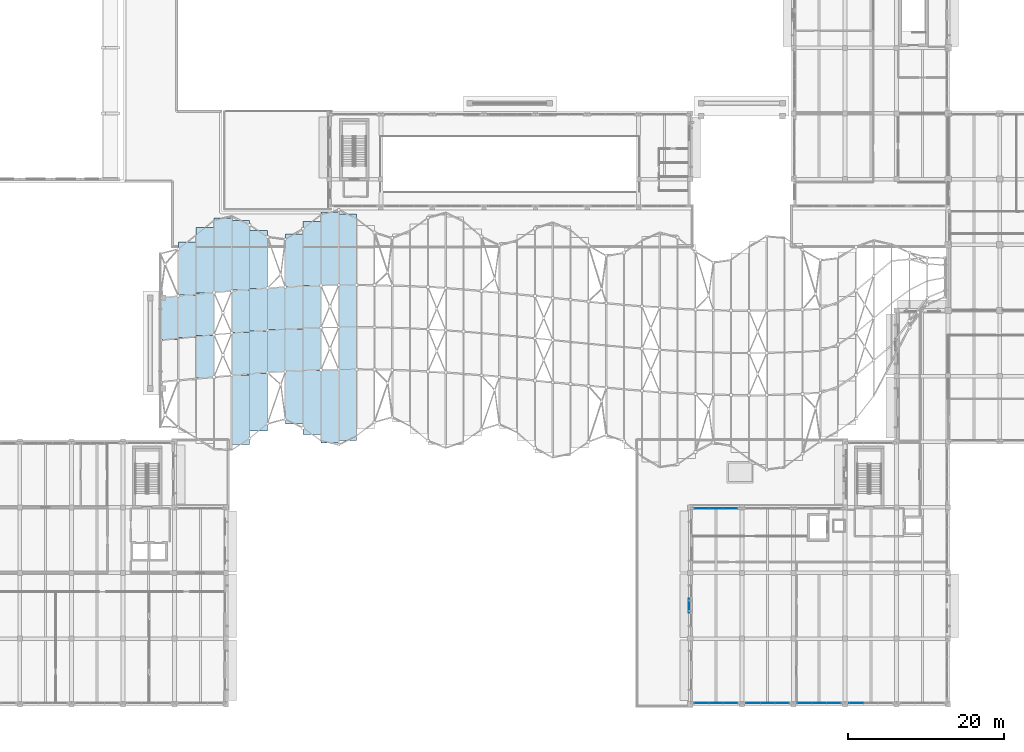
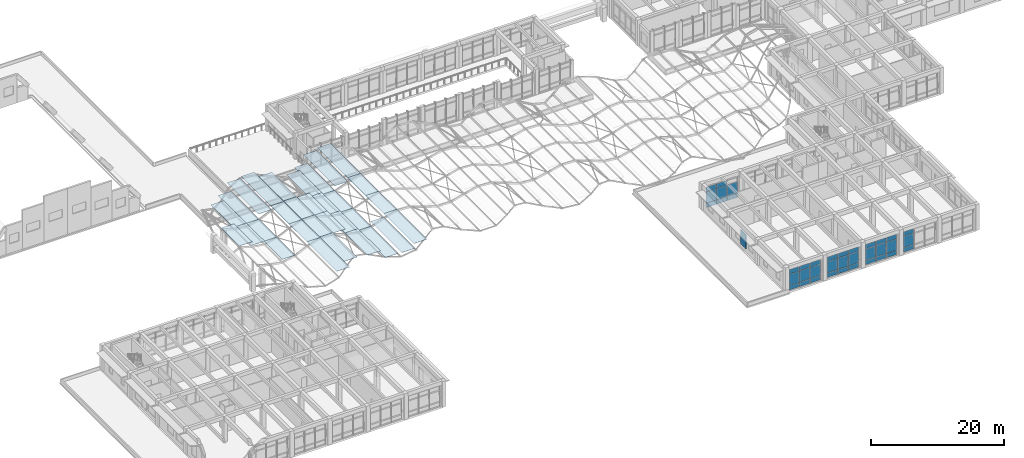
# One storey, part 35 of 79: 70 plates, 5 elements without a shape of their own.
"""IFC4 building model written with IfcOpenShell, lengths in metres."""

import ifcopenshell
import ifcopenshell.guid

model = None  # the IFC model being written
_history = None  # IfcOwnerHistory: only IFC2X3 demands one
_inside = {}  # id of a spatial element -> (the spatial element, [elements in it])
_under = {}  # id of a project, library or spatial element -> (it, [spatial elements below it])
_declared = {}  # id of a project -> (the project, [libraries it declares])
_typed = {}  # id of a type object -> (the type object, [elements of that type])
_made_of = {}  # id of a material, layer set ... -> (it, [elements and type objects made of it])


def new_model(schema):
    """Start an empty IFC model of exactly this schema.

    Asked for "IFC4X3", IfcOpenShell would pick the latest addendum, in which some entities
    have other attributes; the version numbers below select the first issue.
    IFC2X3 requires an IfcOwnerHistory on every rooted entity: one is made here for all.
    """
    global model, _history
    if schema == "IFC4X3":
        model = ifcopenshell.file(schema_version=(4, 3, 0, 0))
    else:
        model = ifcopenshell.file(schema=schema)
    _inside.clear()
    _under.clear()
    _declared.clear()
    _typed.clear()
    _made_of.clear()
    _history = None
    if model.schema == "IFC2X3":
        org = make("IfcOrganization", Name="unknown")
        user = make(
            "IfcPersonAndOrganization",
            ThePerson=make("IfcPerson", FamilyName="unknown"),
            TheOrganization=org,
        )
        app = make(
            "IfcApplication",
            ApplicationDeveloper=org,
            Version="unknown",
            ApplicationFullName="unknown",
            ApplicationIdentifier="unknown",
        )
        _history = make(
            "IfcOwnerHistory",
            OwningUser=user,
            OwningApplication=app,
            ChangeAction="ADDED",
            CreationDate=0,
        )
    return model


def make(cls, **values):
    """One entity of the class cls with the attributes given. An attribute that is None is left unset."""
    return model.create_entity(
        cls, **{name: value for name, value in values.items() if value is not None}
    )


def rooted(cls, **values):
    """An entity with a GlobalId (a new one), such as an element, a storey or a relation."""
    return make(cls, GlobalId=ifcopenshell.guid.new(), OwnerHistory=_history, **values)


def si_unit(unit_type, name, prefix=None):
    """IfcSIUnit, for example si_unit("LENGTHUNIT", "METRE", prefix="MILLI")."""
    return make("IfcSIUnit", UnitType=unit_type, Prefix=prefix, Name=name)


def assignment(units):
    """IfcUnitAssignment: the units of a project."""
    return None if units is None else make("IfcUnitAssignment", Units=units)


def point(xyz):
    """IfcCartesianPoint."""
    return None if xyz is None else make("IfcCartesianPoint", Coordinates=xyz)


def direction(xyz):
    """IfcDirection."""
    return None if xyz is None else make("IfcDirection", DirectionRatios=xyz)


def frame(location, z_axis=None, x_axis=None):
    """IfcAxis2Placement3D, a coordinate frame: its origin and axes. An axis left out is left unset."""
    return make(
        "IfcAxis2Placement3D",
        Location=point(location),
        Axis=direction(z_axis),
        RefDirection=direction(x_axis),
    )


def frame_2d(location, x_axis=None):
    """IfcAxis2Placement2D, a coordinate frame in the plane: its origin and x axis."""
    return make(
        "IfcAxis2Placement2D", Location=point(location), RefDirection=direction(x_axis)
    )


def origin():
    """The frame at (0, 0, 0) with its axes left unset."""
    return frame((0.0, 0.0, 0.0))


def origin_2d():
    """The frame at (0, 0) in the plane with its x axis left unset."""
    return frame_2d((0.0, 0.0))


def place(relative_to, where):
    """IfcLocalPlacement: puts the frame where relative to a parent placement (None: the world)."""
    return make(
        "IfcLocalPlacement", PlacementRelTo=relative_to, RelativePlacement=where
    )


def context(
    kind, dimensions, precision=None, world=None, true_north=None, identifier=None
):
    """IfcGeometricRepresentationContext, for example the 3D "Model" context."""
    return make(
        "IfcGeometricRepresentationContext",
        ContextIdentifier=identifier,
        ContextType=kind,
        CoordinateSpaceDimension=dimensions,
        Precision=precision,
        WorldCoordinateSystem=world,
        TrueNorth=true_north,
    )


def subcontext(parent, identifier, kind, view, scale=None):
    """IfcGeometricRepresentationSubContext, for example "Body" below "Model"."""
    return make(
        "IfcGeometricRepresentationSubContext",
        ContextIdentifier=identifier,
        ContextType=kind,
        ParentContext=parent,
        TargetScale=scale,
        TargetView=view,
    )


def project(units=None, contexts=None):
    """IfcProject with its units and contexts."""
    return rooted(
        "IfcProject",
        Name="project",
        RepresentationContexts=contexts,
        UnitsInContext=assignment(units),
    )


def spatial(cls, under=None, at=None, **own):
    """A site, building, storey or space (cls), placed at a placement, below another one or the project."""
    s = rooted(cls, ObjectPlacement=at, **own)
    if under is not None:
        _under.setdefault(under.id(), (under, []))[1].append(s)
    return s


def profile(cls, at=None, kind="AREA", **sizes):
    """A parametric profile (cls). Its sizes go by their IFC names, for example OverallWidth=200.0."""
    return make(cls, ProfileType=kind, Position=at, **sizes)


def rectangle(**sizes):
    """IfcRectangleProfileDef."""
    return profile("IfcRectangleProfileDef", **sizes)


def extrude(swept, where, along, depth):
    """IfcExtrudedAreaSolid: the profile swept, set in the frame where, extruded along a direction by depth."""
    return make(
        "IfcExtrudedAreaSolid",
        SweptArea=swept,
        Position=where,
        ExtrudedDirection=direction(along),
        Depth=depth,
    )


def shape(context_of_items, identifier, shape_type, items):
    """IfcShapeRepresentation: the items that make up one representation, for example the "Body"."""
    return make(
        "IfcShapeRepresentation",
        ContextOfItems=context_of_items,
        RepresentationIdentifier=identifier,
        RepresentationType=shape_type,
        Items=items,
    )


def material(Name=None, Category=None):
    """IfcMaterial."""
    return make("IfcMaterial", Name=Name, Category=Category)


def layer(
    of_material, thickness, ventilated=None, Name=None, Category=None, Priority=None
):
    """IfcMaterialLayer: one layer of a wall or slab, of a material (None: an air gap)."""
    return make(
        "IfcMaterialLayer",
        Material=of_material,
        LayerThickness=thickness,
        IsVentilated=ventilated,
        Name=Name,
        Category=Category,
        Priority=Priority,
    )


def layer_set(layers, Name=None):
    """IfcMaterialLayerSet."""
    return make("IfcMaterialLayerSet", MaterialLayers=layers, LayerSetName=Name)


def made_of(thing, what):
    """Note that an element or type object is made of a material, layer set ...; save() writes the relation."""
    if what is not None:
        _made_of.setdefault(what.id(), (what, []))[1].append(thing)
    return thing


def type_object(cls, material=None, **own):
    """A type object (cls), such as IfcWallType, which elements share."""
    return made_of(rooted(cls, **own), material)


def element(
    cls,
    number,
    at=None,
    inside=None,
    cuts=None,
    type_object=None,
    material=None,
    context=None,
    identifier="Body",
    shape_type=None,
    held_by="IfcProductDefinitionShape",
    body=None,
    shapes=None,
    **own,
):
    """One element of the class cls, such as IfcWall. Its Tag is "e" and its number.

    at: its placement. inside: the storey or other place that contains it. cuts: it is an
    opening in that element (IfcRelVoidsElement). A single representation is given by context,
    identifier, shape_type and body (its items); several are given by shapes. held_by: the class
    of the entity that holds the representations. save() writes the other relations.
    """
    e = rooted(cls, Tag="e%d" % number, ObjectPlacement=at, **own)
    if body is not None:
        shapes = [shape(context, identifier, shape_type, body)]
    if shapes is not None:
        e.Representation = make(held_by, Representations=shapes)
    if inside is not None:
        _inside.setdefault(inside.id(), (inside, []))[1].append(e)
    if cuts is not None:
        rooted(
            "IfcRelVoidsElement", RelatingBuildingElement=cuts, RelatedOpeningElement=e
        )
    if type_object is not None:
        _typed.setdefault(type_object.id(), (type_object, []))[1].append(e)
    return made_of(e, material)


def aggregate(whole, parts):
    """IfcRelAggregates: a whole, such as a stair, and the parts it consists of."""
    return rooted("IfcRelAggregates", RelatingObject=whole, RelatedObjects=parts)


def save(model, path):
    """Write the relations noted so far, then the file.

    IfcRelAggregates (storeys below a building ...), IfcRelContainedInSpatialStructure (elements
    in a storey), IfcRelDefinesByType, IfcRelAssociatesMaterial and IfcRelDeclares: one each for
    every whole, place, type object, material and project.
    """
    for whole, parts in _under.values():
        aggregate(whole, parts)
    for where, things in _inside.values():
        rooted(
            "IfcRelContainedInSpatialStructure",
            RelatedElements=things,
            RelatingStructure=where,
        )
    for kind, things in _typed.values():
        rooted("IfcRelDefinesByType", RelatedObjects=things, RelatingType=kind)
    for what, things in _made_of.values():
        rooted("IfcRelAssociatesMaterial", RelatedObjects=things, RelatingMaterial=what)
    for by, libraries in _declared.values():
        rooted("IfcRelDeclares", RelatingContext=by, RelatedDefinitions=libraries)
    model.write(path)


model = new_model("IFC4")

# Units and contexts
model_context = context("Model", 3, precision=1e-05, world=origin(), true_north=direction((0.0, 1.0)))
body_context = subcontext(model_context, "Body", "Model", "MODEL_VIEW")
ifc_project = project(units=[si_unit("LENGTHUNIT", "METRE"), si_unit("AREAUNIT", "SQUARE_METRE"), si_unit("VOLUMEUNIT", "CUBIC_METRE"), si_unit("PLANEANGLEUNIT", "RADIAN"), si_unit("MASSUNIT", "GRAM", prefix="KILO")], contexts=[model_context])

# Site, building, storey
site_placement = place(None, origin())
site = spatial("IfcSite", under=ifc_project, at=site_placement, CompositionType="ELEMENT")
building_placement = place(site_placement, origin())
building = spatial("IfcBuilding", under=site, at=building_placement, Name="Kolvaren Faculty of Natural Sciences", CompositionType="ELEMENT")
storey_placement = place(building_placement, frame((0.0, 0.0, 10.199951171875)))
storey = spatial("IfcBuildingStorey", under=building, at=storey_placement, Name="L02", CompositionType="ELEMENT", Elevation=10.199951171875)

# Plates
ifc_material_1 = material(Name="Double low-E solar control laminated skylight glass", Category="glass")
ifc_layer_1 = layer(ifc_material_1, 0.031982421875)
ifc_layer_set_1 = layer_set([ifc_layer_1], Name="Double low-E solar control laminated skylight glass")
plate_type_1 = type_object("IfcPlateType", Name="CanopyTranslucentSkylight_32", PredefinedType="USERDEFINED", material=ifc_layer_set_1)
for number, where, z_axis, x_axis, name in (
    (1, (39.140869140625, 58.017333984375, 3.849609375), (0.0, 0.0, 1.0), (1.0, 0.0, 0.0), "Covered street canopy translucent skylight panel 1.N2"),
    (2, (41.422607421875, 58.25, 3.0224609375), (0.0, 0.0, 1.0), (1.0, 0.0, 0.0), "Covered street canopy translucent skylight panel 2.N2"),
):
    element("IfcPlate", number, at=place(storey_placement, frame(where, z_axis=z_axis, x_axis=x_axis)), inside=storey, type_object=plate_type_1, Name=name, ObjectType="SKYLIGHT PANEL", PredefinedType="USERDEFINED", context=body_context, shape_type="SweptSolid", body=[
        extrude(rectangle(XDim=2.251708984375, YDim=5.4599609375, at=origin_2d()), origin(), (0.0, 0.0, 1.0), 0.031982421875),
    ])
plate_1_placement = place(storey_placement, frame((41.422607421875, 64.34521484375, 3.0224609375), z_axis=(0.0, 0.0, 1.0), x_axis=(1.0, 0.0, 0.0)))
element("IfcPlate", 3, at=plate_1_placement, inside=storey, type_object=plate_type_1, Name="Covered street canopy translucent skylight panel 2.N1", ObjectType="SKYLIGHT PANEL", PredefinedType="USERDEFINED", context=body_context, shape_type="SweptSolid", body=[
    extrude(rectangle(XDim=2.251708984375, YDim=6.850341796875, at=origin_2d()), origin(), (0.0, 0.0, 1.0), 0.031982421875),
])
for number, where, z_axis, x_axis, name in (
    (4, (43.70458984375, 53.0751953125, 2.80419921875), (0.0, 0.0, 1.0), (1.0, 0.0, 0.0), "Covered street canopy translucent skylight panel 3.S2"),
    (5, (43.70458984375, 58.47509765625, 2.80419921875), (0.0, 0.0, 1.0), (1.0, 0.0, 0.0), "Covered street canopy translucent skylight panel 3.N2"),
):
    element("IfcPlate", number, at=place(storey_placement, frame(where, z_axis=z_axis, x_axis=x_axis)), inside=storey, type_object=plate_type_1, Name=name, ObjectType="SKYLIGHT PANEL", PredefinedType="USERDEFINED", context=body_context, shape_type="SweptSolid", body=[
        extrude(rectangle(XDim=2.251953125, YDim=5.4599609375, at=origin_2d()), origin(), (0.0, 0.0, 1.0), 0.031982421875),
    ])
plate_2_placement = place(storey_placement, frame((43.70458984375, 65.377197265625, 2.80419921875), z_axis=(0.0, 0.0, 1.0), x_axis=(1.0, 0.0, 0.0)))
element("IfcPlate", 6, at=plate_2_placement, inside=storey, type_object=plate_type_1, Name="Covered street canopy translucent skylight panel 3.N1", ObjectType="SKYLIGHT PANEL", PredefinedType="USERDEFINED", context=body_context, shape_type="SweptSolid", body=[
    extrude(rectangle(XDim=2.251953125, YDim=8.46435546875, at=origin_2d()), origin(), (0.0, 0.0, 1.0), 0.031982421875),
])
plate_3_placement = place(storey_placement, frame((45.986328125, 66.084716796875, 3.62255859375), z_axis=(0.0, 0.0, 1.0), x_axis=(1.0, 0.0, 0.0)))
element("IfcPlate", 7, at=plate_3_placement, inside=storey, type_object=plate_type_1, Name="Covered street canopy translucent skylight panel 4.N1", ObjectType="SKYLIGHT PANEL", PredefinedType="USERDEFINED", context=body_context, shape_type="SweptSolid", body=[
    extrude(rectangle(XDim=2.251708984375, YDim=9.4521484375, at=origin_2d()), origin(), (0.0, 0.0, 1.0), 0.031982421875),
])
plate_4_placement = place(storey_placement, frame((48.268310546875, 46.336669921875, 4.1796875), z_axis=(0.0, 0.0, 1.0), x_axis=(1.0, 0.0, 0.0)))
element("IfcPlate", 8, at=plate_4_placement, inside=storey, type_object=plate_type_1, Name="Covered street canopy translucent skylight panel 5.S1", ObjectType="SKYLIGHT PANEL", PredefinedType="USERDEFINED", context=body_context, shape_type="SweptSolid", body=[
    extrude(rectangle(XDim=2.251708984375, YDim=8.959228515625, at=origin_2d()), origin(), (0.0, 0.0, 1.0), 0.031982421875),
])
for number, where, z_axis, x_axis, name in (
    (9, (48.268310546875, 53.486328125, 4.1796875), (0.0, 0.0, 1.0), (1.0, 0.0, 0.0), "Covered street canopy translucent skylight panel 5.S2"),
    (10, (48.268310546875, 58.88623046875, 4.1796875), (0.0, 0.0, 1.0), (1.0, 0.0, 0.0), "Covered street canopy translucent skylight panel 5.N2"),
):
    element("IfcPlate", number, at=place(storey_placement, frame(where, z_axis=z_axis, x_axis=x_axis)), inside=storey, type_object=plate_type_1, Name=name, ObjectType="SKYLIGHT PANEL", PredefinedType="USERDEFINED", context=body_context, shape_type="SweptSolid", body=[
        extrude(rectangle(XDim=2.251708984375, YDim=5.4599609375, at=origin_2d()), origin(), (0.0, 0.0, 1.0), 0.031982421875),
    ])
plate_5_placement = place(storey_placement, frame((48.268310546875, 66.035888671875, 4.1796875), z_axis=(0.0, 0.0, 1.0), x_axis=(1.0, 0.0, 0.0)))
element("IfcPlate", 11, at=plate_5_placement, inside=storey, type_object=plate_type_1, Name="Covered street canopy translucent skylight panel 5.N1", ObjectType="SKYLIGHT PANEL", PredefinedType="USERDEFINED", context=body_context, shape_type="SweptSolid", body=[
    extrude(rectangle(XDim=2.251708984375, YDim=8.959228515625, at=origin_2d()), origin(), (0.0, 0.0, 1.0), 0.031982421875),
])
plate_6_placement = place(storey_placement, frame((50.550048828125, 47.264404296875, 4.1796875), z_axis=(0.0, 0.0, 1.0), x_axis=(1.0, 0.0, 0.0)))
element("IfcPlate", 12, at=plate_6_placement, inside=storey, type_object=plate_type_1, Name="Covered street canopy translucent skylight panel 6.S1", ObjectType="SKYLIGHT PANEL", PredefinedType="USERDEFINED", context=body_context, shape_type="SweptSolid", body=[
    extrude(rectangle(XDim=2.251708984375, YDim=7.458740234375, at=origin_2d()), origin(), (0.0, 0.0, 1.0), 0.031982421875),
])
for number, where, z_axis, x_axis, name in (
    (13, (50.550048828125, 53.663818359375, 4.1796875), (0.0, 0.0, 1.0), (1.0, 0.0, 0.0), "Covered street canopy translucent skylight panel 6.S2"),
    (14, (50.550048828125, 59.063720703125, 4.1796875), (0.0, 0.0, 1.0), (1.0, 0.0, 0.0), "Covered street canopy translucent skylight panel 6.N2"),
):
    element("IfcPlate", number, at=place(storey_placement, frame(where, z_axis=z_axis, x_axis=x_axis)), inside=storey, type_object=plate_type_1, Name=name, ObjectType="SKYLIGHT PANEL", PredefinedType="USERDEFINED", context=body_context, shape_type="SweptSolid", body=[
        extrude(rectangle(XDim=2.251708984375, YDim=5.4599609375, at=origin_2d()), origin(), (0.0, 0.0, 1.0), 0.031982421875),
    ])
plate_7_placement = place(storey_placement, frame((50.550048828125, 65.463134765625, 4.1796875), z_axis=(0.0, 0.0, 1.0), x_axis=(1.0, 0.0, 0.0)))
element("IfcPlate", 15, at=plate_7_placement, inside=storey, type_object=plate_type_1, Name="Covered street canopy translucent skylight panel 6.N1", ObjectType="SKYLIGHT PANEL", PredefinedType="USERDEFINED", context=body_context, shape_type="SweptSolid", body=[
    extrude(rectangle(XDim=2.251708984375, YDim=7.458740234375, at=origin_2d()), origin(), (0.0, 0.0, 1.0), 0.031982421875),
])
for number, where, z_axis, x_axis, name in (
    (16, (52.831787109375, 53.8173828125, 3.93994140625), (0.0, 0.0, 1.0), (1.0, 0.0, 0.0), "Covered street canopy translucent skylight panel 7.S2"),
    (17, (52.831787109375, 59.217529296875, 3.93994140625), (0.0, 0.0, 1.0), (1.0, 0.0, 0.0), "Covered street canopy translucent skylight panel 7.N2"),
):
    element("IfcPlate", number, at=place(storey_placement, frame(where, z_axis=z_axis, x_axis=x_axis)), inside=storey, type_object=plate_type_1, Name=name, ObjectType="SKYLIGHT PANEL", PredefinedType="USERDEFINED", context=body_context, shape_type="SweptSolid", body=[
        extrude(rectangle(XDim=2.251708984375, YDim=5.4599609375, at=origin_2d()), origin(), (0.0, 0.0, 1.0), 0.031982421875),
    ])
plate_8_placement = place(storey_placement, frame((55.113525390625, 47.88330078125, 3.1337890625), z_axis=(0.0, 0.0, 1.0), x_axis=(1.0, 0.0, 0.0)))
element("IfcPlate", 18, at=plate_8_placement, inside=storey, type_object=plate_type_1, Name="Covered street canopy translucent skylight panel 8.S1", ObjectType="SKYLIGHT PANEL", PredefinedType="USERDEFINED", context=body_context, shape_type="SweptSolid", body=[
    extrude(rectangle(XDim=2.251708984375, YDim=6.782470703125, at=origin_2d()), origin(), (0.0, 0.0, 1.0), 0.031982421875),
])
for number, where, z_axis, x_axis, name in (
    (19, (55.113525390625, 53.944580078125, 3.1337890625), (0.0, 0.0, 1.0), (1.0, 0.0, 0.0), "Covered street canopy translucent skylight panel 8.S2"),
    (20, (55.113525390625, 59.344482421875, 3.1337890625), (0.0, 0.0, 1.0), (1.0, 0.0, 0.0), "Covered street canopy translucent skylight panel 8.N2"),
):
    element("IfcPlate", number, at=place(storey_placement, frame(where, z_axis=z_axis, x_axis=x_axis)), inside=storey, type_object=plate_type_1, Name=name, ObjectType="SKYLIGHT PANEL", PredefinedType="USERDEFINED", context=body_context, shape_type="SweptSolid", body=[
        extrude(rectangle(XDim=2.251708984375, YDim=5.4599609375, at=origin_2d()), origin(), (0.0, 0.0, 1.0), 0.031982421875),
    ])
plate_9_placement = place(storey_placement, frame((55.113525390625, 65.40576171875, 3.1337890625), z_axis=(0.0, 0.0, 1.0), x_axis=(1.0, 0.0, 0.0)))
element("IfcPlate", 21, at=plate_9_placement, inside=storey, type_object=plate_type_1, Name="Covered street canopy translucent skylight panel 8.N1", ObjectType="SKYLIGHT PANEL", PredefinedType="USERDEFINED", context=body_context, shape_type="SweptSolid", body=[
    extrude(rectangle(XDim=2.251708984375, YDim=6.782470703125, at=origin_2d()), origin(), (0.0, 0.0, 1.0), 0.031982421875),
])
plate_10_placement = place(storey_placement, frame((57.3955078125, 47.243896484375, 2.71923828125), z_axis=(0.0, 0.0, 1.0), x_axis=(1.0, 0.0, 0.0)))
element("IfcPlate", 22, at=plate_10_placement, inside=storey, type_object=plate_type_1, Name="Covered street canopy translucent skylight panel 9.S1", ObjectType="SKYLIGHT PANEL", PredefinedType="USERDEFINED", context=body_context, shape_type="SweptSolid", body=[
    extrude(rectangle(XDim=2.251953125, YDim=8.256103515625, at=origin_2d()), origin(), (0.0, 0.0, 1.0), 0.031982421875),
])
for number, where, z_axis, x_axis, name in (
    (23, (57.3955078125, 54.0419921875, 2.71923828125), (0.0, 0.0, 1.0), (1.0, 0.0, 0.0), "Covered street canopy translucent skylight panel 9.S2"),
    (24, (57.3955078125, 59.44189453125, 2.71923828125), (0.0, 0.0, 1.0), (1.0, 0.0, 0.0), "Covered street canopy translucent skylight panel 9.N2"),
):
    element("IfcPlate", number, at=place(storey_placement, frame(where, z_axis=z_axis, x_axis=x_axis)), inside=storey, type_object=plate_type_1, Name=name, ObjectType="SKYLIGHT PANEL", PredefinedType="USERDEFINED", context=body_context, shape_type="SweptSolid", body=[
        extrude(rectangle(XDim=2.251953125, YDim=5.4599609375, at=origin_2d()), origin(), (0.0, 0.0, 1.0), 0.031982421875),
    ])
plate_11_placement = place(storey_placement, frame((57.3955078125, 66.239990234375, 2.71923828125), z_axis=(0.0, 0.0, 1.0), x_axis=(1.0, 0.0, 0.0)))
element("IfcPlate", 25, at=plate_11_placement, inside=storey, type_object=plate_type_1, Name="Covered street canopy translucent skylight panel 9.N1", ObjectType="SKYLIGHT PANEL", PredefinedType="USERDEFINED", context=body_context, shape_type="SweptSolid", body=[
    extrude(rectangle(XDim=2.251953125, YDim=8.256103515625, at=origin_2d()), origin(), (0.0, 0.0, 1.0), 0.031982421875),
])
for number, where, z_axis, x_axis, name in (
    (26, (59.67724609375, 46.739501953125, 3.5087890625), (0.0, 0.0, 1.0), (1.0, 0.0, 0.0), "Covered street canopy translucent skylight panel 10.S1"),
    (27, (59.67724609375, 66.876953125, 3.5087890625), (0.0, 0.0, 1.0), (1.0, 0.0, 0.0), "Covered street canopy translucent skylight panel 10.N1"),
):
    element("IfcPlate", number, at=place(storey_placement, frame(where, z_axis=z_axis, x_axis=x_axis)), inside=storey, type_object=plate_type_1, Name=name, ObjectType="SKYLIGHT PANEL", PredefinedType="USERDEFINED", context=body_context, shape_type="SweptSolid", body=[
        extrude(rectangle(XDim=2.251708984375, YDim=9.3974609375, at=origin_2d()), origin(), (0.0, 0.0, 1.0), 0.031982421875),
    ])
plate_12_placement = place(storey_placement, frame((61.958984375, 46.91650390625, 4.14599609375), z_axis=(0.0, 0.0, 1.0), x_axis=(1.0, 0.0, 0.0)))
element("IfcPlate", 28, at=plate_12_placement, inside=storey, type_object=plate_type_1, Name="Covered street canopy translucent skylight panel 11.S1", ObjectType="SKYLIGHT PANEL", PredefinedType="USERDEFINED", context=body_context, shape_type="SweptSolid", body=[
    extrude(rectangle(XDim=2.251708984375, YDim=9.110595703125, at=origin_2d()), origin(), (0.0, 0.0, 1.0), 0.031982421875),
])
for number, where, z_axis, x_axis, name in (
    (29, (61.958984375, 54.1416015625, 4.14599609375), (0.0, 0.0, 1.0), (1.0, 0.0, 0.0), "Covered street canopy translucent skylight panel 11.S2"),
    (30, (61.958984375, 59.54150390625, 4.14599609375), (0.0, 0.0, 1.0), (1.0, 0.0, 0.0), "Covered street canopy translucent skylight panel 11.N2"),
):
    element("IfcPlate", number, at=place(storey_placement, frame(where, z_axis=z_axis, x_axis=x_axis)), inside=storey, type_object=plate_type_1, Name=name, ObjectType="SKYLIGHT PANEL", PredefinedType="USERDEFINED", context=body_context, shape_type="SweptSolid", body=[
        extrude(rectangle(XDim=2.251708984375, YDim=5.4599609375, at=origin_2d()), origin(), (0.0, 0.0, 1.0), 0.031982421875),
    ])
plate_13_placement = place(storey_placement, frame((61.958984375, 66.766845703125, 4.14599609375), z_axis=(0.0, 0.0, 1.0), x_axis=(1.0, 0.0, 0.0)))
element("IfcPlate", 31, at=plate_13_placement, inside=storey, type_object=plate_type_1, Name="Covered street canopy translucent skylight panel 11.N1", ObjectType="SKYLIGHT PANEL", PredefinedType="USERDEFINED", context=body_context, shape_type="SweptSolid", body=[
    extrude(rectangle(XDim=2.251708984375, YDim=9.110595703125, at=origin_2d()), origin(), (0.0, 0.0, 1.0), 0.031982421875),
])

# Curtain wall, plate
ifc_material_2 = material(Name="Thermally broken anodised aluminium framing", Category="aluminium")
ifc_layer_2 = layer(ifc_material_2, 0.179931640625)
ifc_layer_set_2 = layer_set([ifc_layer_2], Name="Thermally broken anodised aluminium framing")
curtain_wall_type = type_object("IfcCurtainWallType", Name="CommonsCurtainWall_CW02", PredefinedType="NOTDEFINED", material=ifc_layer_set_2)
curtain_wall_1_placement = place(storey_placement, origin())
curtain_wall_1 = element("IfcCurtainWall", 32, at=curtain_wall_1_placement, inside=storey, type_object=curtain_wall_type, Name="L02 unitised curtain wall CW-02 (CW-L02-112)", PredefinedType="NOTDEFINED")
ifc_material_3 = material(Name="Double low-E solar control insulated glazing", Category="glass")
ifc_layer_3 = layer(ifc_material_3, 0.035888671875)
ifc_layer_set_3 = layer_set([ifc_layer_3], Name="Double low-E solar control insulated glazing")
plate_type_2 = type_object("IfcPlateType", Name="EnvelopePlate_CWPGL1", PredefinedType="CURTAIN_PANEL", material=ifc_layer_set_3)
plate_14_placement = place(storey_placement, frame((127.066650390625, 8.75, 0.920166015625), z_axis=(0.0, 0.0, 1.0), x_axis=(-1.0, 0.0, 0.0)))
plate_14 = element("IfcPlate", 33, at=plate_14_placement, type_object=plate_type_2, Name="CW-L02-112 panel 3 V1", PredefinedType="CURTAIN_PANEL", context=body_context, shape_type="SweptSolid", body=[
    extrude(rectangle(XDim=1.783203125, YDim=0.035888671875, at=origin_2d()), origin(), (0.0, 0.0, 1.0), 2.044921875),
])

# Curtain wall, plates
curtain_wall_2_placement = place(storey_placement, origin())
curtain_wall_2 = element("IfcCurtainWall", 34, at=curtain_wall_2_placement, inside=storey, type_object=curtain_wall_type, Name="L02 unitised curtain wall CW-02 (CW-L02-113)", PredefinedType="NOTDEFINED")
plate_15_placement = place(storey_placement, frame((124.13330078125, 8.75, 0.920166015625), z_axis=(0.0, 0.0, 1.0), x_axis=(-1.0, 0.0, 0.0)))
plate_15 = element("IfcPlate", 35, at=plate_15_placement, type_object=plate_type_2, Name="CW-L02-113 panel 1 V1", PredefinedType="CURTAIN_PANEL", context=body_context, shape_type="SweptSolid", body=[
    extrude(rectangle(XDim=1.783203125, YDim=0.035888671875, at=origin_2d()), origin(), (0.0, 0.0, 1.0), 2.044921875),
])
plate_16_placement = place(storey_placement, frame((122.300048828125, 8.75, 0.920166015625), z_axis=(0.0, 0.0, 1.0), x_axis=(-1.0, 0.0, 0.0)))
plate_16 = element("IfcPlate", 36, at=plate_16_placement, type_object=plate_type_2, Name="CW-L02-113 panel 2 V1", PredefinedType="CURTAIN_PANEL", context=body_context, shape_type="SweptSolid", body=[
    extrude(rectangle(XDim=1.783203125, YDim=0.035888671875, at=origin_2d()), origin(), (0.0, 0.0, 1.0), 2.044921875),
])
plate_17_placement = place(storey_placement, frame((120.466796875, 8.75, 0.920166015625), z_axis=(0.0, 0.0, 1.0), x_axis=(-1.0, 0.0, 0.0)))
plate_17 = element("IfcPlate", 37, at=plate_17_placement, type_object=plate_type_2, Name="CW-L02-113 panel 3 V1", PredefinedType="CURTAIN_PANEL", context=body_context, shape_type="SweptSolid", body=[
    extrude(rectangle(XDim=1.783203125, YDim=0.035888671875, at=origin_2d()), origin(), (0.0, 0.0, 1.0), 2.044921875),
])

curtain_wall_3_placement = place(storey_placement, origin())
curtain_wall_3 = element("IfcCurtainWall", 38, at=curtain_wall_3_placement, inside=storey, type_object=curtain_wall_type, Name="L02 unitised curtain wall CW-02 (CW-L02-114)", PredefinedType="NOTDEFINED")
plate_18_placement = place(storey_placement, frame((117.533203125, 8.75, 0.920166015625), z_axis=(0.0, 0.0, 1.0), x_axis=(-1.0, 0.0, 0.0)))
plate_18 = element("IfcPlate", 39, at=plate_18_placement, type_object=plate_type_2, Name="CW-L02-114 panel 1 V1", PredefinedType="CURTAIN_PANEL", context=body_context, shape_type="SweptSolid", body=[
    extrude(rectangle(XDim=1.783203125, YDim=0.035888671875, at=origin_2d()), origin(), (0.0, 0.0, 1.0), 2.044921875),
])
plate_19_placement = place(storey_placement, frame((115.699951171875, 8.75, 0.920166015625), z_axis=(0.0, 0.0, 1.0), x_axis=(-1.0, 0.0, 0.0)))
plate_19 = element("IfcPlate", 40, at=plate_19_placement, type_object=plate_type_2, Name="CW-L02-114 panel 2 V1", PredefinedType="CURTAIN_PANEL", context=body_context, shape_type="SweptSolid", body=[
    extrude(rectangle(XDim=1.783203125, YDim=0.035888671875, at=origin_2d()), origin(), (0.0, 0.0, 1.0), 2.044921875),
])
plate_20_placement = place(storey_placement, frame((113.86669921875, 8.75, 0.920166015625), z_axis=(0.0, 0.0, 1.0), x_axis=(-1.0, 0.0, 0.0)))
plate_20 = element("IfcPlate", 41, at=plate_20_placement, type_object=plate_type_2, Name="CW-L02-114 panel 3 V1", PredefinedType="CURTAIN_PANEL", context=body_context, shape_type="SweptSolid", body=[
    extrude(rectangle(XDim=1.783203125, YDim=0.035888671875, at=origin_2d()), origin(), (0.0, 0.0, 1.0), 2.044921875),
])

curtain_wall_4_placement = place(storey_placement, origin())
curtain_wall_4 = element("IfcCurtainWall", 42, at=curtain_wall_4_placement, inside=storey, type_object=curtain_wall_type, Name="L02 unitised curtain wall CW-02 (CW-L02-115)", PredefinedType="NOTDEFINED")
plate_21_placement = place(storey_placement, frame((110.933349609375, 8.75, 0.920166015625), z_axis=(0.0, 0.0, 1.0), x_axis=(-1.0, 0.0, 0.0)))
plate_21 = element("IfcPlate", 43, at=plate_21_placement, type_object=plate_type_2, Name="CW-L02-115 panel 1 V1", PredefinedType="CURTAIN_PANEL", context=body_context, shape_type="SweptSolid", body=[
    extrude(rectangle(XDim=1.783203125, YDim=0.035888671875, at=origin_2d()), origin(), (0.0, 0.0, 1.0), 2.044921875),
])
plate_22_placement = place(storey_placement, frame((109.10009765625, 8.75, 0.920166015625), z_axis=(0.0, 0.0, 1.0), x_axis=(-1.0, 0.0, 0.0)))
plate_22 = element("IfcPlate", 44, at=plate_22_placement, type_object=plate_type_2, Name="CW-L02-115 panel 2 V1", PredefinedType="CURTAIN_PANEL", context=body_context, shape_type="SweptSolid", body=[
    extrude(rectangle(XDim=1.783203125, YDim=0.035888671875, at=origin_2d()), origin(), (0.0, 0.0, 1.0), 2.044921875),
])
plate_23_placement = place(storey_placement, frame((107.2666015625, 8.75, 0.920166015625), z_axis=(0.0, 0.0, 1.0), x_axis=(-1.0, 0.0, 0.0)))
plate_23 = element("IfcPlate", 45, at=plate_23_placement, type_object=plate_type_2, Name="CW-L02-115 panel 3 V1", PredefinedType="CURTAIN_PANEL", context=body_context, shape_type="SweptSolid", body=[
    extrude(rectangle(XDim=1.783203125, YDim=0.035888671875, at=origin_2d()), origin(), (0.0, 0.0, 1.0), 2.044921875),
])

curtain_wall_5_placement = place(storey_placement, origin())
curtain_wall_5 = element("IfcCurtainWall", 46, at=curtain_wall_5_placement, inside=storey, type_object=curtain_wall_type, Name="L02 unitised curtain wall CW-02 (CW-L02-116)", PredefinedType="NOTDEFINED")
plate_24_placement = place(storey_placement, frame((107.2666015625, 33.64990234375, 0.920166015625), z_axis=(0.0, 0.0, 1.0), x_axis=(1.0, 0.0, 0.0)))
plate_24 = element("IfcPlate", 47, at=plate_24_placement, type_object=plate_type_2, Name="CW-L02-116 panel 1 V1", PredefinedType="CURTAIN_PANEL", context=body_context, shape_type="SweptSolid", body=[
    extrude(rectangle(XDim=1.783203125, YDim=0.035888671875, at=origin_2d()), origin(), (0.0, 0.0, 1.0), 2.044921875),
])
plate_25_placement = place(storey_placement, frame((109.10009765625, 33.64990234375, 0.920166015625), z_axis=(0.0, 0.0, 1.0), x_axis=(1.0, 0.0, 0.0)))
plate_25 = element("IfcPlate", 48, at=plate_25_placement, type_object=plate_type_2, Name="CW-L02-116 panel 2 V1", PredefinedType="CURTAIN_PANEL", context=body_context, shape_type="SweptSolid", body=[
    extrude(rectangle(XDim=1.783203125, YDim=0.035888671875, at=origin_2d()), origin(), (0.0, 0.0, 1.0), 2.044921875),
])
plate_26_placement = place(storey_placement, frame((110.933349609375, 33.64990234375, 0.920166015625), z_axis=(0.0, 0.0, 1.0), x_axis=(1.0, 0.0, 0.0)))
plate_26 = element("IfcPlate", 49, at=plate_26_placement, type_object=plate_type_2, Name="CW-L02-116 panel 3 V1", PredefinedType="CURTAIN_PANEL", context=body_context, shape_type="SweptSolid", body=[
    extrude(rectangle(XDim=1.783203125, YDim=0.035888671875, at=origin_2d()), origin(), (0.0, 0.0, 1.0), 2.044921875),
])

# Plate
ifc_layer_4 = layer(ifc_material_3, 0.035888671875)
ifc_layer_set_4 = layer_set([ifc_layer_4], Name="Double low-E solar control insulated glazing")
plate_type_3 = type_object("IfcPlateType", Name="EnvelopePlate_CWPGL2", PredefinedType="CURTAIN_PANEL", material=ifc_layer_set_4)
plate_27_placement = place(storey_placement, frame((127.066650390625, 8.75, 3.005126953125), z_axis=(0.0, 0.0, 1.0), x_axis=(-1.0, 0.0, 0.0)))
plate_27 = element("IfcPlate", 50, at=plate_27_placement, type_object=plate_type_3, Name="CW-L02-112 panel 3 V2", PredefinedType="CURTAIN_PANEL", context=body_context, shape_type="SweptSolid", body=[
    extrude(rectangle(XDim=1.783203125, YDim=0.035888671875, at=origin_2d()), origin(), (0.0, 0.0, 1.0), 0.830078125),
])

plate_28_placement = place(storey_placement, frame((124.13330078125, 8.75, 3.005126953125), z_axis=(0.0, 0.0, 1.0), x_axis=(-1.0, 0.0, 0.0)))
plate_28 = element("IfcPlate", 51, at=plate_28_placement, type_object=plate_type_3, Name="CW-L02-113 panel 1 V2", PredefinedType="CURTAIN_PANEL", context=body_context, shape_type="SweptSolid", body=[
    extrude(rectangle(XDim=1.783203125, YDim=0.035888671875, at=origin_2d()), origin(), (0.0, 0.0, 1.0), 0.830078125),
])

plate_29_placement = place(storey_placement, frame((122.300048828125, 8.75, 3.005126953125), z_axis=(0.0, 0.0, 1.0), x_axis=(-1.0, 0.0, 0.0)))
plate_29 = element("IfcPlate", 52, at=plate_29_placement, type_object=plate_type_3, Name="CW-L02-113 panel 2 V2", PredefinedType="CURTAIN_PANEL", context=body_context, shape_type="SweptSolid", body=[
    extrude(rectangle(XDim=1.783203125, YDim=0.035888671875, at=origin_2d()), origin(), (0.0, 0.0, 1.0), 0.830078125),
])

plate_30_placement = place(storey_placement, frame((120.466796875, 8.75, 3.005126953125), z_axis=(0.0, 0.0, 1.0), x_axis=(-1.0, 0.0, 0.0)))
plate_30 = element("IfcPlate", 53, at=plate_30_placement, type_object=plate_type_3, Name="CW-L02-113 panel 3 V2", PredefinedType="CURTAIN_PANEL", context=body_context, shape_type="SweptSolid", body=[
    extrude(rectangle(XDim=1.783203125, YDim=0.035888671875, at=origin_2d()), origin(), (0.0, 0.0, 1.0), 0.830078125),
])

plate_31_placement = place(storey_placement, frame((117.533203125, 8.75, 3.005126953125), z_axis=(0.0, 0.0, 1.0), x_axis=(-1.0, 0.0, 0.0)))
plate_31 = element("IfcPlate", 54, at=plate_31_placement, type_object=plate_type_3, Name="CW-L02-114 panel 1 V2", PredefinedType="CURTAIN_PANEL", context=body_context, shape_type="SweptSolid", body=[
    extrude(rectangle(XDim=1.783203125, YDim=0.035888671875, at=origin_2d()), origin(), (0.0, 0.0, 1.0), 0.830078125),
])

plate_32_placement = place(storey_placement, frame((115.699951171875, 8.75, 3.005126953125), z_axis=(0.0, 0.0, 1.0), x_axis=(-1.0, 0.0, 0.0)))
plate_32 = element("IfcPlate", 55, at=plate_32_placement, type_object=plate_type_3, Name="CW-L02-114 panel 2 V2", PredefinedType="CURTAIN_PANEL", context=body_context, shape_type="SweptSolid", body=[
    extrude(rectangle(XDim=1.783203125, YDim=0.035888671875, at=origin_2d()), origin(), (0.0, 0.0, 1.0), 0.830078125),
])

plate_33_placement = place(storey_placement, frame((113.86669921875, 8.75, 3.005126953125), z_axis=(0.0, 0.0, 1.0), x_axis=(-1.0, 0.0, 0.0)))
plate_33 = element("IfcPlate", 56, at=plate_33_placement, type_object=plate_type_3, Name="CW-L02-114 panel 3 V2", PredefinedType="CURTAIN_PANEL", context=body_context, shape_type="SweptSolid", body=[
    extrude(rectangle(XDim=1.783203125, YDim=0.035888671875, at=origin_2d()), origin(), (0.0, 0.0, 1.0), 0.830078125),
])

plate_34_placement = place(storey_placement, frame((110.933349609375, 8.75, 3.005126953125), z_axis=(0.0, 0.0, 1.0), x_axis=(-1.0, 0.0, 0.0)))
plate_34 = element("IfcPlate", 57, at=plate_34_placement, type_object=plate_type_3, Name="CW-L02-115 panel 1 V2", PredefinedType="CURTAIN_PANEL", context=body_context, shape_type="SweptSolid", body=[
    extrude(rectangle(XDim=1.783203125, YDim=0.035888671875, at=origin_2d()), origin(), (0.0, 0.0, 1.0), 0.830078125),
])

plate_35_placement = place(storey_placement, frame((109.10009765625, 8.75, 3.005126953125), z_axis=(0.0, 0.0, 1.0), x_axis=(-1.0, 0.0, 0.0)))
plate_35 = element("IfcPlate", 58, at=plate_35_placement, type_object=plate_type_3, Name="CW-L02-115 panel 2 V2", PredefinedType="CURTAIN_PANEL", context=body_context, shape_type="SweptSolid", body=[
    extrude(rectangle(XDim=1.783203125, YDim=0.035888671875, at=origin_2d()), origin(), (0.0, 0.0, 1.0), 0.830078125),
])

plate_36_placement = place(storey_placement, frame((107.2666015625, 8.75, 3.005126953125), z_axis=(0.0, 0.0, 1.0), x_axis=(-1.0, 0.0, 0.0)))
plate_36 = element("IfcPlate", 59, at=plate_36_placement, type_object=plate_type_3, Name="CW-L02-115 panel 3 V2", PredefinedType="CURTAIN_PANEL", context=body_context, shape_type="SweptSolid", body=[
    extrude(rectangle(XDim=1.783203125, YDim=0.035888671875, at=origin_2d()), origin(), (0.0, 0.0, 1.0), 0.830078125),
])

plate_37_placement = place(storey_placement, frame((107.2666015625, 33.64990234375, 3.005126953125), z_axis=(0.0, 0.0, 1.0), x_axis=(1.0, 0.0, 0.0)))
plate_37 = element("IfcPlate", 60, at=plate_37_placement, type_object=plate_type_3, Name="CW-L02-116 panel 1 V2", PredefinedType="CURTAIN_PANEL", context=body_context, shape_type="SweptSolid", body=[
    extrude(rectangle(XDim=1.783203125, YDim=0.035888671875, at=origin_2d()), origin(), (0.0, 0.0, 1.0), 0.830078125),
])

plate_38_placement = place(storey_placement, frame((109.10009765625, 33.64990234375, 3.005126953125), z_axis=(0.0, 0.0, 1.0), x_axis=(1.0, 0.0, 0.0)))
plate_38 = element("IfcPlate", 61, at=plate_38_placement, type_object=plate_type_3, Name="CW-L02-116 panel 2 V2", PredefinedType="CURTAIN_PANEL", context=body_context, shape_type="SweptSolid", body=[
    extrude(rectangle(XDim=1.783203125, YDim=0.035888671875, at=origin_2d()), origin(), (0.0, 0.0, 1.0), 0.830078125),
])

ifc_material_4 = material(Name="Insulated anodised aluminium spandrel panel", Category="aluminium")
ifc_layer_5 = layer(ifc_material_4, 0.050048828125)
ifc_layer_set_5 = layer_set([ifc_layer_5], Name="Insulated anodised aluminium spandrel panel")
plate_type_4 = type_object("IfcPlateType", Name="EnvelopePlate_CWPSP1", PredefinedType="SHEET", material=ifc_layer_set_5)
plate_39_placement = place(storey_placement, frame((127.066650390625, 8.75, 0.10009765625), z_axis=(0.0, 0.0, 1.0), x_axis=(-1.0, 0.0, 0.0)))
plate_39 = element("IfcPlate", 62, at=plate_39_placement, type_object=plate_type_4, Name="CW-L02-112 panel 3 SP", PredefinedType="SHEET", context=body_context, shape_type="SweptSolid", body=[
    extrude(rectangle(XDim=1.783203125, YDim=0.050048828125, at=origin_2d()), origin(), (0.0, 0.0, 1.0), 0.780029296875),
])

aggregate(curtain_wall_1, [plate_39, plate_14, plate_27])

plate_40_placement = place(storey_placement, frame((124.13330078125, 8.75, 0.10009765625), z_axis=(0.0, 0.0, 1.0), x_axis=(-1.0, 0.0, 0.0)))
plate_40 = element("IfcPlate", 63, at=plate_40_placement, type_object=plate_type_4, Name="CW-L02-113 panel 1 SP", PredefinedType="SHEET", context=body_context, shape_type="SweptSolid", body=[
    extrude(rectangle(XDim=1.783203125, YDim=0.050048828125, at=origin_2d()), origin(), (0.0, 0.0, 1.0), 0.780029296875),
])

plate_41_placement = place(storey_placement, frame((122.300048828125, 8.75, 0.10009765625), z_axis=(0.0, 0.0, 1.0), x_axis=(-1.0, 0.0, 0.0)))
plate_41 = element("IfcPlate", 64, at=plate_41_placement, type_object=plate_type_4, Name="CW-L02-113 panel 2 SP", PredefinedType="SHEET", context=body_context, shape_type="SweptSolid", body=[
    extrude(rectangle(XDim=1.783203125, YDim=0.050048828125, at=origin_2d()), origin(), (0.0, 0.0, 1.0), 0.780029296875),
])

plate_42_placement = place(storey_placement, frame((120.466796875, 8.75, 0.10009765625), z_axis=(0.0, 0.0, 1.0), x_axis=(-1.0, 0.0, 0.0)))
plate_42 = element("IfcPlate", 65, at=plate_42_placement, type_object=plate_type_4, Name="CW-L02-113 panel 3 SP", PredefinedType="SHEET", context=body_context, shape_type="SweptSolid", body=[
    extrude(rectangle(XDim=1.783203125, YDim=0.050048828125, at=origin_2d()), origin(), (0.0, 0.0, 1.0), 0.780029296875),
])

aggregate(curtain_wall_2, [plate_40, plate_15, plate_28, plate_41, plate_16, plate_29, plate_42, plate_17, plate_30])

plate_43_placement = place(storey_placement, frame((117.533203125, 8.75, 0.10009765625), z_axis=(0.0, 0.0, 1.0), x_axis=(-1.0, 0.0, 0.0)))
plate_43 = element("IfcPlate", 66, at=plate_43_placement, type_object=plate_type_4, Name="CW-L02-114 panel 1 SP", PredefinedType="SHEET", context=body_context, shape_type="SweptSolid", body=[
    extrude(rectangle(XDim=1.783203125, YDim=0.050048828125, at=origin_2d()), origin(), (0.0, 0.0, 1.0), 0.780029296875),
])

plate_44_placement = place(storey_placement, frame((115.699951171875, 8.75, 0.10009765625), z_axis=(0.0, 0.0, 1.0), x_axis=(-1.0, 0.0, 0.0)))
plate_44 = element("IfcPlate", 67, at=plate_44_placement, type_object=plate_type_4, Name="CW-L02-114 panel 2 SP", PredefinedType="SHEET", context=body_context, shape_type="SweptSolid", body=[
    extrude(rectangle(XDim=1.783203125, YDim=0.050048828125, at=origin_2d()), origin(), (0.0, 0.0, 1.0), 0.780029296875),
])

plate_45_placement = place(storey_placement, frame((113.86669921875, 8.75, 0.10009765625), z_axis=(0.0, 0.0, 1.0), x_axis=(-1.0, 0.0, 0.0)))
plate_45 = element("IfcPlate", 68, at=plate_45_placement, type_object=plate_type_4, Name="CW-L02-114 panel 3 SP", PredefinedType="SHEET", context=body_context, shape_type="SweptSolid", body=[
    extrude(rectangle(XDim=1.783203125, YDim=0.050048828125, at=origin_2d()), origin(), (0.0, 0.0, 1.0), 0.780029296875),
])

aggregate(curtain_wall_3, [plate_43, plate_18, plate_31, plate_44, plate_19, plate_32, plate_45, plate_20, plate_33])

plate_46_placement = place(storey_placement, frame((110.933349609375, 8.75, 0.10009765625), z_axis=(0.0, 0.0, 1.0), x_axis=(-1.0, 0.0, 0.0)))
plate_46 = element("IfcPlate", 69, at=plate_46_placement, type_object=plate_type_4, Name="CW-L02-115 panel 1 SP", PredefinedType="SHEET", context=body_context, shape_type="SweptSolid", body=[
    extrude(rectangle(XDim=1.783203125, YDim=0.050048828125, at=origin_2d()), origin(), (0.0, 0.0, 1.0), 0.780029296875),
])

plate_47_placement = place(storey_placement, frame((109.10009765625, 8.75, 0.10009765625), z_axis=(0.0, 0.0, 1.0), x_axis=(-1.0, 0.0, 0.0)))
plate_47 = element("IfcPlate", 70, at=plate_47_placement, type_object=plate_type_4, Name="CW-L02-115 panel 2 SP", PredefinedType="SHEET", context=body_context, shape_type="SweptSolid", body=[
    extrude(rectangle(XDim=1.783203125, YDim=0.050048828125, at=origin_2d()), origin(), (0.0, 0.0, 1.0), 0.780029296875),
])

plate_48_placement = place(storey_placement, frame((107.2666015625, 8.75, 0.10009765625), z_axis=(0.0, 0.0, 1.0), x_axis=(-1.0, 0.0, 0.0)))
plate_48 = element("IfcPlate", 71, at=plate_48_placement, type_object=plate_type_4, Name="CW-L02-115 panel 3 SP", PredefinedType="SHEET", context=body_context, shape_type="SweptSolid", body=[
    extrude(rectangle(XDim=1.783203125, YDim=0.050048828125, at=origin_2d()), origin(), (0.0, 0.0, 1.0), 0.780029296875),
])

aggregate(curtain_wall_4, [plate_46, plate_21, plate_34, plate_47, plate_22, plate_35, plate_48, plate_23, plate_36])

plate_49_placement = place(storey_placement, frame((107.2666015625, 33.64990234375, 0.10009765625), z_axis=(0.0, 0.0, 1.0), x_axis=(1.0, 0.0, 0.0)))
plate_49 = element("IfcPlate", 72, at=plate_49_placement, type_object=plate_type_4, Name="CW-L02-116 panel 1 SP", PredefinedType="SHEET", context=body_context, shape_type="SweptSolid", body=[
    extrude(rectangle(XDim=1.783203125, YDim=0.050048828125, at=origin_2d()), origin(), (0.0, 0.0, 1.0), 0.780029296875),
])

plate_50_placement = place(storey_placement, frame((109.10009765625, 33.64990234375, 0.10009765625), z_axis=(0.0, 0.0, 1.0), x_axis=(1.0, 0.0, 0.0)))
plate_50 = element("IfcPlate", 73, at=plate_50_placement, type_object=plate_type_4, Name="CW-L02-116 panel 2 SP", PredefinedType="SHEET", context=body_context, shape_type="SweptSolid", body=[
    extrude(rectangle(XDim=1.783203125, YDim=0.050048828125, at=origin_2d()), origin(), (0.0, 0.0, 1.0), 0.780029296875),
])

plate_51_placement = place(storey_placement, frame((110.933349609375, 33.64990234375, 0.10009765625), z_axis=(0.0, 0.0, 1.0), x_axis=(1.0, 0.0, 0.0)))
plate_51 = element("IfcPlate", 74, at=plate_51_placement, type_object=plate_type_4, Name="CW-L02-116 panel 3 SP", PredefinedType="SHEET", context=body_context, shape_type="SweptSolid", body=[
    extrude(rectangle(XDim=1.783203125, YDim=0.050048828125, at=origin_2d()), origin(), (0.0, 0.0, 1.0), 0.780029296875),
])

aggregate(curtain_wall_5, [plate_49, plate_24, plate_37, plate_50, plate_25, plate_38, plate_51, plate_26])

ifc_material_5 = material(Name="Extruded architectural terracotta screen", Category="masonry")
ifc_layer_6 = layer(ifc_material_5, 0.06494140625)
ifc_layer_set_6 = layer_set([ifc_layer_6], Name="Extruded architectural terracotta screen")
plate_type_5 = type_object("IfcPlateType", Name="EnvelopePlate_JL02", PredefinedType="USERDEFINED", material=ifc_layer_set_6)
plate_52_placement = place(storey_placement, frame((105.659912109375, 21.199951171875, 0.85009765625), z_axis=(0.0, 0.0, 1.0), x_axis=(0.0, 1.0, 0.0)))
element("IfcPlate", 75, at=plate_52_placement, inside=storey, type_object=plate_type_5, Name="L02 perforated terracotta jali sun screen JL-02", ObjectType="SCREEN", PredefinedType="USERDEFINED", context=body_context, shape_type="SweptSolid", body=[
    extrude(rectangle(XDim=1.75, YDim=0.06494140625, at=origin_2d()), origin(), (0.0, 0.0, 1.0), 2.60009765625),
])

save(model, "model.ifc")
